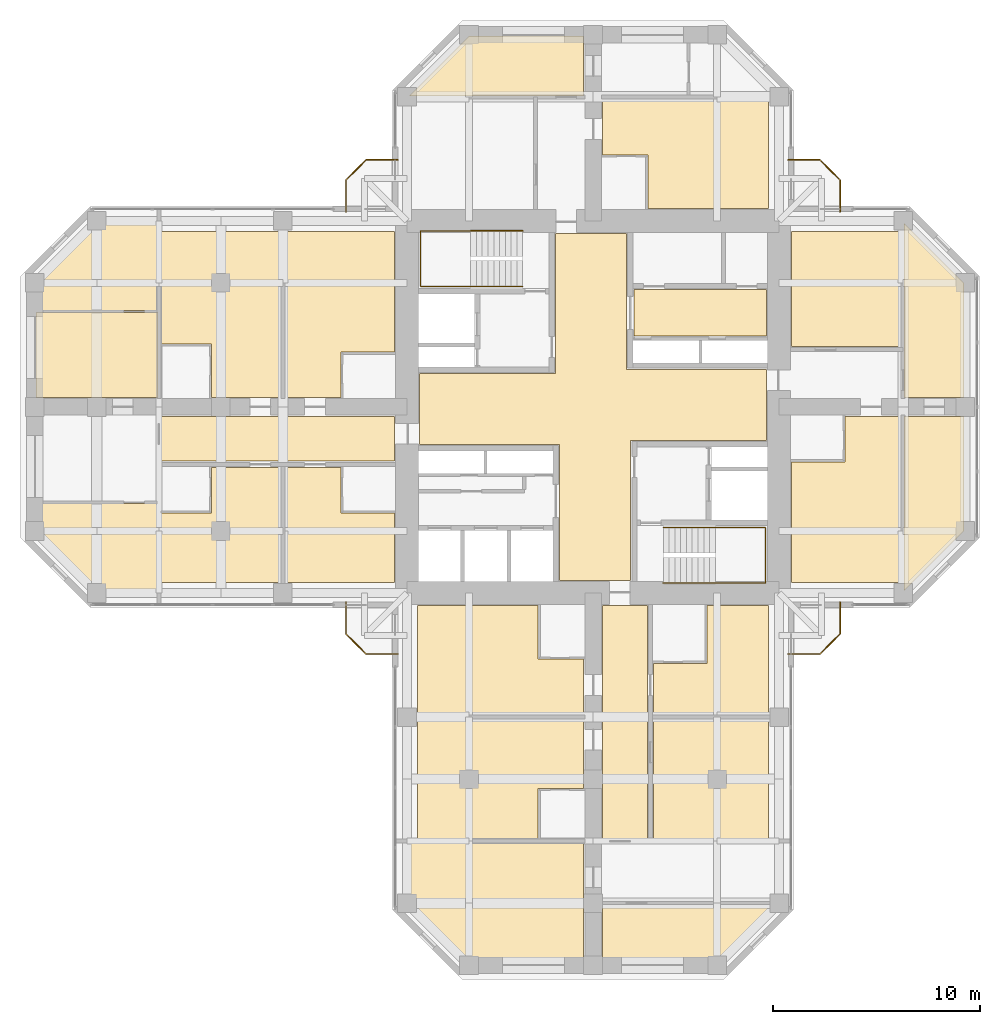
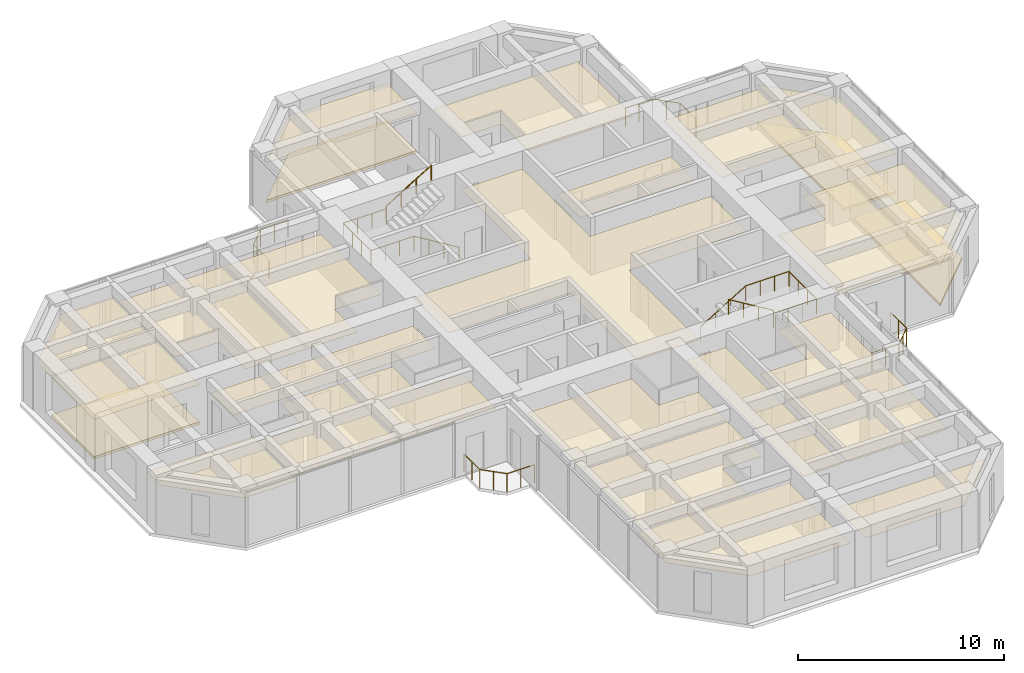
# One storey, part 13 of 13: 27 coverings, 8 railings.
"""IFC4 building model written with IfcOpenShell, lengths in metres."""

from ifc_helpers import new_model, si_unit, direction, frame, origin, origin_2d, place, context, subcontext, project, spatial, polyline, circle, outline, extrude, material, layer, layer_set, constituent, constituent_set, type_object, element, save


model = new_model("IFC4")

# Units and contexts
model_context = context("Model", 3, precision=1e-05, world=origin(), true_north=direction((0.0, 1.0)))
body_context = subcontext(model_context, "Body", "Model", "MODEL_VIEW")
ifc_project = project(units=[si_unit("LENGTHUNIT", "METRE"), si_unit("AREAUNIT", "SQUARE_METRE"), si_unit("VOLUMEUNIT", "CUBIC_METRE"), si_unit("PLANEANGLEUNIT", "RADIAN"), si_unit("MASSUNIT", "GRAM", prefix="KILO")], contexts=[model_context])

# Site, building, storey
site_placement = place(None, origin())
site = spatial("IfcSite", under=ifc_project, at=site_placement, CompositionType="ELEMENT")
building_placement = place(site_placement, origin())
building = spatial("IfcBuilding", under=site, at=building_placement, Name="Torre Cruceta", CompositionType="ELEMENT")
storey_placement = place(building_placement, frame((0.0, 0.0, 196.699951171875)))
storey = spatial("IfcBuildingStorey", under=building, at=storey_placement, Name="L49", CompositionType="ELEMENT", Elevation=196.699951171875)

# Railings
ifc_material_1 = material(Name="Stainless steel 1.4401", Category="steel")
ifc_constituent_1 = constituent(ifc_material_1, Name="Frame")
ifc_material_2 = material(Name="Laminated safety glass", Category="glass")
ifc_constituent_2 = constituent(ifc_material_2, Name="Infill")
ifc_constituent_set_1 = constituent_set(constituents=[ifc_constituent_1, ifc_constituent_2], Name="Stainless steel and laminated glass balustrade")
railing_type_1 = type_object("IfcRailingType", Name="BALCONY BALUSTRADE 1100", PredefinedType="BALUSTRADE", material=ifc_constituent_set_1)
railing_1_placement = place(storey_placement, frame((-9.449951171875, 11.949951171875, 0.0)))
element("IfcRailing", 1, at=railing_1_placement, inside=storey, type_object=railing_type_1, Name="BL1 balcony balustrade L49 N", PredefinedType="BALUSTRADE", context=body_context, shape_type="SweptSolid", body=[
    extrude(circle(Radius=0.02392578125, at=origin_2d()), frame((0.0, 0.0, 1.076171875), z_axis=(-1.0, 0.0, 0.0), x_axis=(0.0, -1.0, 0.0)), (0.0, 0.0, 1.0), 1.529296875),
    extrude(circle(Radius=0.02392578125, at=origin_2d()), frame((-1.529296875, 0.0, 1.076171875), z_axis=(-0.707106781187, -0.707106781187, 0.0), x_axis=(0.707106781187, -0.707106781187, 0.0)), (0.0, 0.0, 1.0), 1.372802734375),
    extrude(circle(Radius=0.02392578125, at=origin_2d()), frame((-2.5, -0.970703125, 1.076171875), z_axis=(0.0, -1.0, 0.0), x_axis=(1.0, 0.0, 0.0)), (0.0, 0.0, 1.0), 1.529296875),
    extrude(circle(Radius=0.02099609375, at=origin_2d()), origin(), (0.0, 0.0, 1.0), 1.052001953125),
    extrude(circle(Radius=0.02099609375, at=origin_2d()), frame((-0.7646484375, 0.0, 0.0)), (0.0, 0.0, 1.0), 1.052001953125),
    extrude(circle(Radius=0.02099609375, at=origin_2d()), frame((-1.529296875, 0.0, 0.0)), (0.0, 0.0, 1.0), 1.052001953125),
    extrude(circle(Radius=0.02099609375, at=origin_2d()), frame((-2.0146484375, -0.4853515625, 0.0)), (0.0, 0.0, 1.0), 1.052001953125),
    extrude(circle(Radius=0.02099609375, at=origin_2d()), frame((-2.5, -0.970703125, 0.0)), (0.0, 0.0, 1.0), 1.052001953125),
    extrude(circle(Radius=0.02099609375, at=origin_2d()), frame((-2.5, -1.7353515625, 0.0)), (0.0, 0.0, 1.0), 1.052001953125),
    extrude(circle(Radius=0.02099609375, at=origin_2d()), frame((-2.5, -2.5, 0.0)), (0.0, 0.0, 1.0), 1.052001953125),
])
railing_2_placement = place(storey_placement, frame((9.449951171875, 11.949951171875, 0.0)))
element("IfcRailing", 2, at=railing_2_placement, inside=storey, type_object=railing_type_1, Name="BL1 balcony balustrade L49 E", PredefinedType="BALUSTRADE", context=body_context, shape_type="SweptSolid", body=[
    extrude(circle(Radius=0.02392578125, at=origin_2d()), frame((0.0, 0.0, 1.076171875), z_axis=(1.0, 0.0, 0.0), x_axis=(0.0, 1.0, 0.0)), (0.0, 0.0, 1.0), 1.529296875),
    extrude(circle(Radius=0.02392578125, at=origin_2d()), frame((1.529296875, 0.0, 1.076171875), z_axis=(0.707106781187, -0.707106781187, 0.0), x_axis=(0.707106781187, 0.707106781187, 0.0)), (0.0, 0.0, 1.0), 1.372802734375),
    extrude(circle(Radius=0.02392578125, at=origin_2d()), frame((2.5, -0.970703125, 1.076171875), z_axis=(0.0, -1.0, 0.0), x_axis=(1.0, 0.0, 0.0)), (0.0, 0.0, 1.0), 1.529296875),
    extrude(circle(Radius=0.02099609375, at=origin_2d()), origin(), (0.0, 0.0, 1.0), 1.052001953125),
    extrude(circle(Radius=0.02099609375, at=origin_2d()), frame((0.7646484375, 0.0, 0.0)), (0.0, 0.0, 1.0), 1.052001953125),
    extrude(circle(Radius=0.02099609375, at=origin_2d()), frame((1.529296875, 0.0, 0.0)), (0.0, 0.0, 1.0), 1.052001953125),
    extrude(circle(Radius=0.02099609375, at=origin_2d()), frame((2.0146484375, -0.4853515625, 0.0)), (0.0, 0.0, 1.0), 1.052001953125),
    extrude(circle(Radius=0.02099609375, at=origin_2d()), frame((2.5, -0.970703125, 0.0)), (0.0, 0.0, 1.0), 1.052001953125),
    extrude(circle(Radius=0.02099609375, at=origin_2d()), frame((2.5, -1.7353515625, 0.0)), (0.0, 0.0, 1.0), 1.052001953125),
    extrude(circle(Radius=0.02099609375, at=origin_2d()), frame((2.5, -2.5, 0.0)), (0.0, 0.0, 1.0), 1.052001953125),
])
railing_3_placement = place(storey_placement, frame((9.449951171875, -11.949951171875, 0.0)))
element("IfcRailing", 3, at=railing_3_placement, inside=storey, type_object=railing_type_1, Name="BL1 balcony balustrade L49 S", PredefinedType="BALUSTRADE", context=body_context, shape_type="SweptSolid", body=[
    extrude(circle(Radius=0.02392578125, at=origin_2d()), frame((0.0, 0.0, 1.076171875), z_axis=(1.0, 0.0, 0.0), x_axis=(0.0, 1.0, 0.0)), (0.0, 0.0, 1.0), 1.529296875),
    extrude(circle(Radius=0.02392578125, at=origin_2d()), frame((1.529296875, 0.0, 1.076171875), z_axis=(0.707106781187, 0.707106781187, 0.0), x_axis=(-0.707106781187, 0.707106781187, 0.0)), (0.0, 0.0, 1.0), 1.372802734375),
    extrude(circle(Radius=0.02392578125, at=origin_2d()), frame((2.5, 0.970703125, 1.076171875), z_axis=(0.0, 1.0, 0.0), x_axis=(-1.0, 0.0, 0.0)), (0.0, 0.0, 1.0), 1.529296875),
    extrude(circle(Radius=0.02099609375, at=origin_2d()), origin(), (0.0, 0.0, 1.0), 1.052001953125),
    extrude(circle(Radius=0.02099609375, at=origin_2d()), frame((0.7646484375, 0.0, 0.0)), (0.0, 0.0, 1.0), 1.052001953125),
    extrude(circle(Radius=0.02099609375, at=origin_2d()), frame((1.529296875, 0.0, 0.0)), (0.0, 0.0, 1.0), 1.052001953125),
    extrude(circle(Radius=0.02099609375, at=origin_2d()), frame((2.0146484375, 0.4853515625, 0.0)), (0.0, 0.0, 1.0), 1.052001953125),
    extrude(circle(Radius=0.02099609375, at=origin_2d()), frame((2.5, 0.970703125, 0.0)), (0.0, 0.0, 1.0), 1.052001953125),
    extrude(circle(Radius=0.02099609375, at=origin_2d()), frame((2.5, 1.7353515625, 0.0)), (0.0, 0.0, 1.0), 1.052001953125),
    extrude(circle(Radius=0.02099609375, at=origin_2d()), frame((2.5, 2.5, 0.0)), (0.0, 0.0, 1.0), 1.052001953125),
])
railing_4_placement = place(storey_placement, frame((-9.449951171875, -11.949951171875, 0.0)))
element("IfcRailing", 4, at=railing_4_placement, inside=storey, type_object=railing_type_1, Name="BL1 balcony balustrade L49 W", PredefinedType="BALUSTRADE", context=body_context, shape_type="SweptSolid", body=[
    extrude(circle(Radius=0.02392578125, at=origin_2d()), frame((0.0, 0.0, 1.076171875), z_axis=(-1.0, 0.0, 0.0), x_axis=(0.0, -1.0, 0.0)), (0.0, 0.0, 1.0), 1.529296875),
    extrude(circle(Radius=0.02392578125, at=origin_2d()), frame((-1.529296875, 0.0, 1.076171875), z_axis=(-0.707106781187, 0.707106781187, 0.0), x_axis=(-0.707106781187, -0.707106781187, 0.0)), (0.0, 0.0, 1.0), 1.372802734375),
    extrude(circle(Radius=0.02392578125, at=origin_2d()), frame((-2.5, 0.970703125, 1.076171875), z_axis=(0.0, 1.0, 0.0), x_axis=(-1.0, 0.0, 0.0)), (0.0, 0.0, 1.0), 1.529296875),
    extrude(circle(Radius=0.02099609375, at=origin_2d()), origin(), (0.0, 0.0, 1.0), 1.052001953125),
    extrude(circle(Radius=0.02099609375, at=origin_2d()), frame((-0.7646484375, 0.0, 0.0)), (0.0, 0.0, 1.0), 1.052001953125),
    extrude(circle(Radius=0.02099609375, at=origin_2d()), frame((-1.529296875, 0.0, 0.0)), (0.0, 0.0, 1.0), 1.052001953125),
    extrude(circle(Radius=0.02099609375, at=origin_2d()), frame((-2.0146484375, 0.4853515625, 0.0)), (0.0, 0.0, 1.0), 1.052001953125),
    extrude(circle(Radius=0.02099609375, at=origin_2d()), frame((-2.5, 0.970703125, 0.0)), (0.0, 0.0, 1.0), 1.052001953125),
    extrude(circle(Radius=0.02099609375, at=origin_2d()), frame((-2.5, 1.7353515625, 0.0)), (0.0, 0.0, 1.0), 1.052001953125),
    extrude(circle(Radius=0.02099609375, at=origin_2d()), frame((-2.5, 2.5, 0.0)), (0.0, 0.0, 1.0), 1.052001953125),
])
ifc_material_3 = material(Name="Stainless steel 1.4401", Category="steel")
railing_type_2 = type_object("IfcRailingType", Name="HANDRAIL 900", PredefinedType="HANDRAIL", material=ifc_material_3)
railing_5_placement = place(storey_placement, frame((-3.39990234375, 5.8349609375, 0.170166015625)))
element("IfcRailing", 5, at=railing_5_placement, inside=storey, type_object=railing_type_2, Name="Handrail HR1 ST1 L49", PredefinedType="HANDRAIL", context=body_context, shape_type="SweptSolid", body=[
    extrude(circle(Radius=0.02392578125, at=origin_2d()), frame((0.0, 0.0, 0.8759765625), z_axis=(-0.854821627497, 0.0, 0.518921945155), x_axis=(0.0, -1.0, 0.0)), (0.0, 0.0, 1.0), 2.947998046875),
    extrude(circle(Radius=0.02392578125, at=origin_2d()), frame((-2.52001953125, 0.0, 2.40576171875), z_axis=(-1.0, 0.0, 0.0), x_axis=(0.0, -1.0, 0.0)), (0.0, 0.0, 1.0), 2.420166015625),
    extrude(circle(Radius=0.02392578125, at=origin_2d()), frame((-4.940185546875, 0.0, 2.40576171875), z_axis=(0.0, 1.0, 0.0), x_axis=(-1.0, 0.0, 0.0)), (0.0, 0.0, 1.0), 2.679931640625),
    extrude(circle(Radius=0.02392578125, at=origin_2d()), frame((-4.940185546875, 2.679931640625, 2.40576171875), z_axis=(1.0, 0.0, 0.0), x_axis=(0.0, 1.0, 0.0)), (0.0, 0.0, 1.0), 2.420166015625),
    extrude(circle(Radius=0.02099609375, at=origin_2d()), origin(), (0.0, 0.0, 1.0), 0.851806640625),
    extrude(circle(Radius=0.02099609375, at=origin_2d()), frame((-0.840087890625, 0.0, 0.510009765625)), (0.0, 0.0, 1.0), 0.851806640625),
    extrude(circle(Radius=0.02099609375, at=origin_2d()), frame((-1.679931640625, 0.0, 1.019775390625)), (0.0, 0.0, 1.0), 0.851806640625),
    extrude(circle(Radius=0.02099609375, at=origin_2d()), frame((-2.52001953125, 0.0, 1.52978515625)), (0.0, 0.0, 1.0), 0.851806640625),
    extrude(circle(Radius=0.02099609375, at=origin_2d()), frame((-3.32666015625, 0.0, 1.52978515625)), (0.0, 0.0, 1.0), 0.851806640625),
    extrude(circle(Radius=0.02099609375, at=origin_2d()), frame((-4.133544921875, 0.0, 1.52978515625)), (0.0, 0.0, 1.0), 0.851806640625),
    extrude(circle(Radius=0.02099609375, at=origin_2d()), frame((-4.940185546875, 0.0, 1.52978515625)), (0.0, 0.0, 1.0), 0.851806640625),
    extrude(circle(Radius=0.02099609375, at=origin_2d()), frame((-4.940185546875, 0.893310546875, 1.52978515625)), (0.0, 0.0, 1.0), 0.851806640625),
    extrude(circle(Radius=0.02099609375, at=origin_2d()), frame((-4.940185546875, 1.78662109375, 1.52978515625)), (0.0, 0.0, 1.0), 0.851806640625),
    extrude(circle(Radius=0.02099609375, at=origin_2d()), frame((-4.940185546875, 2.679931640625, 1.52978515625)), (0.0, 0.0, 1.0), 0.851806640625),
    extrude(circle(Radius=0.02099609375, at=origin_2d()), frame((-4.133544921875, 2.679931640625, 1.52978515625)), (0.0, 0.0, 1.0), 0.851806640625),
    extrude(circle(Radius=0.02099609375, at=origin_2d()), frame((-3.32666015625, 2.679931640625, 1.52978515625)), (0.0, 0.0, 1.0), 0.851806640625),
    extrude(circle(Radius=0.02099609375, at=origin_2d()), frame((-2.52001953125, 2.679931640625, 1.52978515625)), (0.0, 0.0, 1.0), 0.851806640625),
])
railing_6_placement = place(storey_placement, frame((-5.919921875, 8.514892578125, 1.8701171875)))
element("IfcRailing", 6, at=railing_6_placement, inside=storey, type_object=railing_type_2, Name="Handrail HR1 ST1 L49", PredefinedType="HANDRAIL", context=body_context, shape_type="SweptSolid", body=[
    extrude(circle(Radius=0.02392578125, at=origin_2d()), frame((0.0, 0.0, 0.8759765625), z_axis=(0.85478489116, 0.0, 0.518982456201), x_axis=(0.0, 1.0, 0.0)), (0.0, 0.0, 1.0), 2.9482421875),
    extrude(circle(Radius=0.02099609375, at=origin_2d()), origin(), (0.0, 0.0, 1.0), 0.851806640625),
    extrude(circle(Radius=0.02099609375, at=origin_2d()), frame((0.840087890625, 0.0, 0.510009765625)), (0.0, 0.0, 1.0), 0.851806640625),
    extrude(circle(Radius=0.02099609375, at=origin_2d()), frame((1.679931640625, 0.0, 1.02001953125)), (0.0, 0.0, 1.0), 0.851806640625),
    extrude(circle(Radius=0.02099609375, at=origin_2d()), frame((2.52001953125, 0.0, 1.530029296875)), (0.0, 0.0, 1.0), 0.851806640625),
])
railing_7_placement = place(storey_placement, frame((3.39990234375, -5.8349609375, 0.170166015625)))
element("IfcRailing", 7, at=railing_7_placement, inside=storey, type_object=railing_type_2, Name="Handrail HR1 ST2 L49", PredefinedType="HANDRAIL", context=body_context, shape_type="SweptSolid", body=[
    extrude(circle(Radius=0.02392578125, at=origin_2d()), frame((0.0, 0.0, 0.8759765625), z_axis=(0.854821627497, 0.0, 0.518921945155), x_axis=(0.0, 1.0, 0.0)), (0.0, 0.0, 1.0), 2.947998046875),
    extrude(circle(Radius=0.02392578125, at=origin_2d()), frame((2.52001953125, 0.0, 2.40576171875), z_axis=(1.0, 0.0, 0.0), x_axis=(0.0, 1.0, 0.0)), (0.0, 0.0, 1.0), 2.420166015625),
    extrude(circle(Radius=0.02392578125, at=origin_2d()), frame((4.940185546875, 0.0, 2.40576171875), z_axis=(0.0, -1.0, 0.0), x_axis=(1.0, 0.0, 0.0)), (0.0, 0.0, 1.0), 2.679931640625),
    extrude(circle(Radius=0.02392578125, at=origin_2d()), frame((4.940185546875, -2.679931640625, 2.40576171875), z_axis=(-1.0, 0.0, 0.0), x_axis=(0.0, -1.0, 0.0)), (0.0, 0.0, 1.0), 2.420166015625),
    extrude(circle(Radius=0.02099609375, at=origin_2d()), origin(), (0.0, 0.0, 1.0), 0.851806640625),
    extrude(circle(Radius=0.02099609375, at=origin_2d()), frame((0.840087890625, 0.0, 0.510009765625)), (0.0, 0.0, 1.0), 0.851806640625),
    extrude(circle(Radius=0.02099609375, at=origin_2d()), frame((1.679931640625, 0.0, 1.019775390625)), (0.0, 0.0, 1.0), 0.851806640625),
    extrude(circle(Radius=0.02099609375, at=origin_2d()), frame((2.52001953125, 0.0, 1.52978515625)), (0.0, 0.0, 1.0), 0.851806640625),
    extrude(circle(Radius=0.02099609375, at=origin_2d()), frame((3.32666015625, 0.0, 1.52978515625)), (0.0, 0.0, 1.0), 0.851806640625),
    extrude(circle(Radius=0.02099609375, at=origin_2d()), frame((4.133544921875, 0.0, 1.52978515625)), (0.0, 0.0, 1.0), 0.851806640625),
    extrude(circle(Radius=0.02099609375, at=origin_2d()), frame((4.940185546875, 0.0, 1.52978515625)), (0.0, 0.0, 1.0), 0.851806640625),
    extrude(circle(Radius=0.02099609375, at=origin_2d()), frame((4.940185546875, -0.893310546875, 1.52978515625)), (0.0, 0.0, 1.0), 0.851806640625),
    extrude(circle(Radius=0.02099609375, at=origin_2d()), frame((4.940185546875, -1.78662109375, 1.52978515625)), (0.0, 0.0, 1.0), 0.851806640625),
    extrude(circle(Radius=0.02099609375, at=origin_2d()), frame((4.940185546875, -2.679931640625, 1.52978515625)), (0.0, 0.0, 1.0), 0.851806640625),
    extrude(circle(Radius=0.02099609375, at=origin_2d()), frame((4.133544921875, -2.679931640625, 1.52978515625)), (0.0, 0.0, 1.0), 0.851806640625),
    extrude(circle(Radius=0.02099609375, at=origin_2d()), frame((3.32666015625, -2.679931640625, 1.52978515625)), (0.0, 0.0, 1.0), 0.851806640625),
    extrude(circle(Radius=0.02099609375, at=origin_2d()), frame((2.52001953125, -2.679931640625, 1.52978515625)), (0.0, 0.0, 1.0), 0.851806640625),
])
railing_8_placement = place(storey_placement, frame((5.919921875, -8.514892578125, 1.8701171875)))
element("IfcRailing", 8, at=railing_8_placement, inside=storey, type_object=railing_type_2, Name="Handrail HR1 ST2 L49", PredefinedType="HANDRAIL", context=body_context, shape_type="SweptSolid", body=[
    extrude(circle(Radius=0.02392578125, at=origin_2d()), frame((0.0, 0.0, 0.8759765625), z_axis=(-0.85478489116, 0.0, 0.518982456201), x_axis=(0.0, -1.0, 0.0)), (0.0, 0.0, 1.0), 2.9482421875),
    extrude(circle(Radius=0.02099609375, at=origin_2d()), origin(), (0.0, 0.0, 1.0), 0.851806640625),
    extrude(circle(Radius=0.02099609375, at=origin_2d()), frame((-0.840087890625, 0.0, 0.510009765625)), (0.0, 0.0, 1.0), 0.851806640625),
    extrude(circle(Radius=0.02099609375, at=origin_2d()), frame((-1.679931640625, 0.0, 1.02001953125)), (0.0, 0.0, 1.0), 0.851806640625),
    extrude(circle(Radius=0.02099609375, at=origin_2d()), frame((-2.52001953125, 0.0, 1.530029296875)), (0.0, 0.0, 1.0), 0.851806640625),
])

# Coverings
ifc_material_4 = material(Name="Steel DX51D", Category="steel")
ifc_constituent_3 = constituent(ifc_material_4, Name="Panel casing")
ifc_material_5 = material(Name="Calcium sulphate", Category="gypsum")
ifc_constituent_4 = constituent(ifc_material_5, Name="Panel core")
ifc_constituent_set_2 = constituent_set(constituents=[ifc_constituent_3, ifc_constituent_4], Name="Raised access floor panel")
covering_type_1 = type_object("IfcCoveringType", Name="RAISED ACCESS FLOOR 150", PredefinedType="FLOORING", material=ifc_constituent_set_2)
covering_1_placement = place(storey_placement, origin())
element("IfcCovering", 9, at=covering_1_placement, inside=storey, type_object=covering_type_1, Name="Raised floor L49-026", PredefinedType="FLOORING", context=body_context, shape_type="SweptSolid", body=[
    extrude(outline(polyline([(-5.979248046875, 17.949951171875), (-0.449951171875, 17.949951171875), (-0.449951171875, 15.050048828125), (-8.87939453125, 15.050048828125), (-5.979248046875, 17.949951171875)])), origin(), (0.0, 0.0, 1.0), 0.150146484375),
])
covering_2_placement = place(storey_placement, origin())
element("IfcCovering", 10, at=covering_2_placement, inside=storey, type_object=covering_type_1, Name="Raised floor L49-033", PredefinedType="FLOORING", context=body_context, shape_type="SweptSolid", body=[
    extrude(outline(polyline([(17.949951171875, 5.979248046875), (17.949951171875, 0.449951171875), (15.050048828125, 0.449951171875), (15.050048828125, 8.87939453125), (17.949951171875, 5.979248046875)])), origin(), (0.0, 0.0, 1.0), 0.150146484375),
])
covering_3_placement = place(storey_placement, origin())
element("IfcCovering", 11, at=covering_3_placement, inside=storey, type_object=covering_type_1, Name="Raised floor L49-034", PredefinedType="FLOORING", context=body_context, shape_type="SweptSolid", body=[
    extrude(outline(polyline([(15.050048828125, -8.87939453125), (15.050048828125, -0.449951171875), (17.949951171875, -0.449951171875), (17.949951171875, -5.979248046875), (15.050048828125, -8.87939453125)])), origin(), (0.0, 0.0, 1.0), 0.150146484375),
])
covering_4_placement = place(storey_placement, origin())
element("IfcCovering", 12, at=covering_4_placement, inside=storey, type_object=covering_type_1, Name="Raised floor L49-057", PredefinedType="FLOORING", context=body_context, shape_type="SweptSolid", body=[
    extrude(outline(polyline([(-26.949951171875, 4.574951171875), (-21.050048828125, 4.574951171875), (-21.050048828125, 0.449951171875), (-26.949951171875, 0.449951171875), (-26.949951171875, 4.574951171875)])), origin(), (0.0, 0.0, 1.0), 0.150146484375),
])
ifc_material_6 = material(Name="Mineral fibre ceiling tile", Category="gypsum")
ifc_layer = layer(ifc_material_6, 0.02001953125)
ifc_layer_set = layer_set([ifc_layer], Name="Mineral fibre ceiling tile")
covering_type_2 = type_object("IfcCoveringType", Name="SUSPENDED CEILING 20", PredefinedType="CEILING", material=ifc_layer_set)
covering_5_placement = place(storey_placement, frame((0.0, 0.0, 2.35009765625)))
element("IfcCovering", 13, at=covering_5_placement, inside=storey, type_object=covering_type_2, Name="Ceiling L49-003", PredefinedType="CEILING", context=body_context, shape_type="SweptSolid", body=[
    extrude(outline(polyline([(-1.625, -8.39990234375), (-1.625, -1.824951171875), (-8.39990234375, -1.824951171875), (-8.39990234375, 1.625), (-1.824951171875, 1.625), (-1.824951171875, 8.39990234375), (1.625, 8.39990234375), (1.625, 1.824951171875), (8.39990234375, 1.824951171875), (8.39990234375, -1.625), (1.824951171875, -1.625), (1.824951171875, -8.39990234375), (-1.625, -8.39990234375)])), origin(), (0.0, 0.0, 1.0), 0.02001953125),
])
covering_6_placement = place(storey_placement, frame((0.0, 0.0, 2.35009765625)))
element("IfcCovering", 14, at=covering_6_placement, inside=storey, type_object=covering_type_2, Name="Ceiling L49-004", PredefinedType="CEILING", context=body_context, shape_type="SweptSolid", body=[
    extrude(outline(polyline([(1.97509765625, 3.425048828125), (1.97509765625, 5.675048828125), (8.39990234375, 5.675048828125), (8.39990234375, 3.425048828125), (1.97509765625, 3.425048828125)])), origin(), (0.0, 0.0, 1.0), 0.02001953125),
])
covering_7_placement = place(storey_placement, frame((0.0, 0.0, 2.35009765625)))
element("IfcCovering", 15, at=covering_7_placement, inside=storey, type_object=covering_type_2, Name="Ceiling L49-024", PredefinedType="CEILING", context=body_context, shape_type="SweptSolid", body=[
    extrude(outline(polyline([(0.449951171875, 14.949951171875), (8.5, 14.949951171875), (8.5, 9.60009765625), (2.64990234375, 9.60009765625), (2.64990234375, 12.199951171875), (0.449951171875, 12.199951171875), (0.449951171875, 14.949951171875)])), origin(), (0.0, 0.0, 1.0), 0.02001953125),
])
covering_8_placement = place(storey_placement, frame((0.0, 0.0, 2.35009765625)))
element("IfcCovering", 16, at=covering_8_placement, inside=storey, type_object=covering_type_2, Name="Ceiling L49-026", PredefinedType="CEILING", context=body_context, shape_type="SweptSolid", body=[
    extrude(outline(polyline([(-5.979248046875, 17.949951171875), (-0.449951171875, 17.949951171875), (-0.449951171875, 15.050048828125), (-8.87939453125, 15.050048828125), (-5.979248046875, 17.949951171875)])), origin(), (0.0, 0.0, 1.0), 0.02001953125),
])
covering_9_placement = place(storey_placement, frame((0.0, 0.0, 2.35009765625)))
element("IfcCovering", 17, at=covering_9_placement, inside=storey, type_object=covering_type_2, Name="Ceiling L49-030", PredefinedType="CEILING", context=body_context, shape_type="SweptSolid", body=[
    extrude(outline(polyline([(9.60009765625, 2.925048828125), (9.60009765625, 8.5), (14.949951171875, 8.5), (14.949951171875, 2.925048828125), (9.60009765625, 2.925048828125)])), origin(), (0.0, 0.0, 1.0), 0.02001953125),
])
covering_10_placement = place(storey_placement, frame((0.0, 0.0, 2.35009765625)))
element("IfcCovering", 18, at=covering_10_placement, inside=storey, type_object=covering_type_2, Name="Ceiling L49-031", PredefinedType="CEILING", context=body_context, shape_type="SweptSolid", body=[
    extrude(outline(polyline([(14.949951171875, -0.449951171875), (14.949951171875, -8.5), (9.60009765625, -8.5), (9.60009765625, -2.64990234375), (12.199951171875, -2.64990234375), (12.199951171875, -0.449951171875), (14.949951171875, -0.449951171875)])), origin(), (0.0, 0.0, 1.0), 0.02001953125),
])
covering_11_placement = place(storey_placement, frame((0.0, 0.0, 2.35009765625)))
element("IfcCovering", 19, at=covering_11_placement, inside=storey, type_object=covering_type_2, Name="Ceiling L49-033", PredefinedType="CEILING", context=body_context, shape_type="SweptSolid", body=[
    extrude(outline(polyline([(17.949951171875, 5.979248046875), (17.949951171875, 0.449951171875), (15.050048828125, 0.449951171875), (15.050048828125, 8.87939453125), (17.949951171875, 5.979248046875)])), origin(), (0.0, 0.0, 1.0), 0.02001953125),
])
covering_12_placement = place(storey_placement, frame((0.0, 0.0, 2.35009765625)))
element("IfcCovering", 20, at=covering_12_placement, inside=storey, type_object=covering_type_2, Name="Ceiling L49-034", PredefinedType="CEILING", context=body_context, shape_type="SweptSolid", body=[
    extrude(outline(polyline([(15.050048828125, -8.87939453125), (15.050048828125, -0.449951171875), (17.949951171875, -0.449951171875), (17.949951171875, -5.979248046875), (15.050048828125, -8.87939453125)])), origin(), (0.0, 0.0, 1.0), 0.02001953125),
])
covering_13_placement = place(storey_placement, frame((0.0, 0.0, 2.35009765625)))
element("IfcCovering", 21, at=covering_13_placement, inside=storey, type_object=covering_type_2, Name="Ceiling L49-035", PredefinedType="CEILING", context=body_context, shape_type="SweptSolid", body=[
    extrude(outline(polyline([(0.449951171875, -9.60009765625), (2.625, -9.60009765625), (2.625, -20.949951171875), (0.449951171875, -20.949951171875), (0.449951171875, -9.60009765625)])), origin(), (0.0, 0.0, 1.0), 0.02001953125),
])
covering_14_placement = place(storey_placement, frame((0.0, 0.0, 2.35009765625)))
element("IfcCovering", 22, at=covering_14_placement, inside=storey, type_object=covering_type_2, Name="Ceiling L49-036", PredefinedType="CEILING", context=body_context, shape_type="SweptSolid", body=[
    extrude(outline(polyline([(8.5, -9.60009765625), (8.5, -14.949951171875), (2.925048828125, -14.949951171875), (2.925048828125, -12.39990234375), (5.52490234375, -12.39990234375), (5.52490234375, -9.60009765625), (8.5, -9.60009765625)])), origin(), (0.0, 0.0, 1.0), 0.02001953125),
])
covering_15_placement = place(storey_placement, frame((0.0, 0.0, 2.35009765625)))
element("IfcCovering", 23, at=covering_15_placement, inside=storey, type_object=covering_type_2, Name="Ceiling L49-038", PredefinedType="CEILING", context=body_context, shape_type="SweptSolid", body=[
    extrude(outline(polyline([(-0.449951171875, -14.949951171875), (-8.5, -14.949951171875), (-8.5, -9.60009765625), (-2.64990234375, -9.60009765625), (-2.64990234375, -12.199951171875), (-0.449951171875, -12.199951171875), (-0.449951171875, -14.949951171875)])), origin(), (0.0, 0.0, 1.0), 0.02001953125),
])
covering_16_placement = place(storey_placement, frame((0.0, 0.0, 2.35009765625)))
element("IfcCovering", 24, at=covering_16_placement, inside=storey, type_object=covering_type_2, Name="Ceiling L49-040", PredefinedType="CEILING", context=body_context, shape_type="SweptSolid", body=[
    extrude(outline(polyline([(2.925048828125, -15.050048828125), (8.5, -15.050048828125), (8.5, -20.949951171875), (2.925048828125, -20.949951171875), (2.925048828125, -15.050048828125)])), origin(), (0.0, 0.0, 1.0), 0.02001953125),
])
covering_17_placement = place(storey_placement, frame((0.0, 0.0, 2.35009765625)))
element("IfcCovering", 25, at=covering_17_placement, inside=storey, type_object=covering_type_2, Name="Ceiling L49-041", PredefinedType="CEILING", context=body_context, shape_type="SweptSolid", body=[
    extrude(outline(polyline([(-8.5, -20.949951171875), (-8.5, -15.050048828125), (-0.449951171875, -15.050048828125), (-0.449951171875, -18.449951171875), (-2.64990234375, -18.449951171875), (-2.64990234375, -20.949951171875), (-8.5, -20.949951171875)])), origin(), (0.0, 0.0, 1.0), 0.02001953125),
])
covering_18_placement = place(storey_placement, frame((0.0, 0.0, 2.35009765625)))
element("IfcCovering", 26, at=covering_18_placement, inside=storey, type_object=covering_type_2, Name="Ceiling L49-044", PredefinedType="CEILING", context=body_context, shape_type="SweptSolid", body=[
    extrude(outline(polyline([(0.449951171875, -26.949951171875), (0.449951171875, -24.050048828125), (8.87939453125, -24.050048828125), (5.979248046875, -26.949951171875), (0.449951171875, -26.949951171875)])), origin(), (0.0, 0.0, 1.0), 0.02001953125),
])
covering_19_placement = place(storey_placement, frame((0.0, 0.0, 2.35009765625)))
element("IfcCovering", 27, at=covering_19_placement, inside=storey, type_object=covering_type_2, Name="Ceiling L49-045", PredefinedType="CEILING", context=body_context, shape_type="SweptSolid", body=[
    extrude(outline(polyline([(-8.949951171875, -23.979248046875), (-8.949951171875, -21.050048828125), (-0.449951171875, -21.050048828125), (-0.449951171875, -26.949951171875), (-5.979248046875, -26.949951171875), (-8.949951171875, -23.979248046875)])), origin(), (0.0, 0.0, 1.0), 0.02001953125),
])
covering_20_placement = place(storey_placement, frame((0.0, 0.0, 2.35009765625)))
element("IfcCovering", 28, at=covering_20_placement, inside=storey, type_object=covering_type_2, Name="Ceiling L49-046", PredefinedType="CEILING", context=body_context, shape_type="SweptSolid", body=[
    extrude(outline(polyline([(-9.60009765625, -0.449951171875), (-9.60009765625, -2.625), (-20.949951171875, -2.625), (-20.949951171875, -0.449951171875), (-9.60009765625, -0.449951171875)])), origin(), (0.0, 0.0, 1.0), 0.02001953125),
])
covering_21_placement = place(storey_placement, frame((0.0, 0.0, 2.35009765625)))
element("IfcCovering", 29, at=covering_21_placement, inside=storey, type_object=covering_type_2, Name="Ceiling L49-047", PredefinedType="CEILING", context=body_context, shape_type="SweptSolid", body=[
    extrude(outline(polyline([(-9.60009765625, -8.5), (-14.949951171875, -8.5), (-14.949951171875, -2.925048828125), (-12.199951171875, -2.925048828125), (-12.199951171875, -5.125), (-9.60009765625, -5.125), (-9.60009765625, -8.5)])), origin(), (0.0, 0.0, 1.0), 0.02001953125),
])
covering_22_placement = place(storey_placement, frame((0.0, 0.0, 2.35009765625)))
element("IfcCovering", 30, at=covering_22_placement, inside=storey, type_object=covering_type_2, Name="Ceiling L49-049", PredefinedType="CEILING", context=body_context, shape_type="SweptSolid", body=[
    extrude(outline(polyline([(-14.949951171875, 0.449951171875), (-14.949951171875, 8.5), (-9.60009765625, 8.5), (-9.60009765625, 2.64990234375), (-12.199951171875, 2.64990234375), (-12.199951171875, 0.449951171875), (-14.949951171875, 0.449951171875)])), origin(), (0.0, 0.0, 1.0), 0.02001953125),
])
covering_23_placement = place(storey_placement, frame((0.0, 0.0, 2.35009765625)))
element("IfcCovering", 31, at=covering_23_placement, inside=storey, type_object=covering_type_2, Name="Ceiling L49-051", PredefinedType="CEILING", context=body_context, shape_type="SweptSolid", body=[
    extrude(outline(polyline([(-15.050048828125, -2.925048828125), (-15.050048828125, -8.5), (-20.949951171875, -8.5), (-20.949951171875, -5.125), (-18.449951171875, -5.125), (-18.449951171875, -2.925048828125), (-15.050048828125, -2.925048828125)])), origin(), (0.0, 0.0, 1.0), 0.02001953125),
])
covering_24_placement = place(storey_placement, frame((0.0, 0.0, 2.35009765625)))
element("IfcCovering", 32, at=covering_24_placement, inside=storey, type_object=covering_type_2, Name="Ceiling L49-053", PredefinedType="CEILING", context=body_context, shape_type="SweptSolid", body=[
    extrude(outline(polyline([(-20.949951171875, 8.5), (-15.050048828125, 8.5), (-15.050048828125, 0.449951171875), (-18.449951171875, 0.449951171875), (-18.449951171875, 3.050048828125), (-20.949951171875, 3.050048828125), (-20.949951171875, 8.5)])), origin(), (0.0, 0.0, 1.0), 0.02001953125),
])
covering_25_placement = place(storey_placement, frame((0.0, 0.0, 2.35009765625)))
element("IfcCovering", 33, at=covering_25_placement, inside=storey, type_object=covering_type_2, Name="Ceiling L49-056", PredefinedType="CEILING", context=body_context, shape_type="SweptSolid", body=[
    extrude(outline(polyline([(-23.979248046875, -8.949951171875), (-26.949951171875, -5.979248046875), (-26.949951171875, -4.675048828125), (-21.050048828125, -4.675048828125), (-21.050048828125, -8.949951171875), (-23.979248046875, -8.949951171875)])), origin(), (0.0, 0.0, 1.0), 0.02001953125),
])
covering_26_placement = place(storey_placement, frame((0.0, 0.0, 2.35009765625)))
element("IfcCovering", 34, at=covering_26_placement, inside=storey, type_object=covering_type_2, Name="Ceiling L49-057", PredefinedType="CEILING", context=body_context, shape_type="SweptSolid", body=[
    extrude(outline(polyline([(-26.949951171875, 4.574951171875), (-21.050048828125, 4.574951171875), (-21.050048828125, 0.449951171875), (-26.949951171875, 0.449951171875), (-26.949951171875, 4.574951171875)])), origin(), (0.0, 0.0, 1.0), 0.02001953125),
])
covering_27_placement = place(storey_placement, frame((0.0, 0.0, 2.35009765625)))
element("IfcCovering", 35, at=covering_27_placement, inside=storey, type_object=covering_type_2, Name="Ceiling L49-058", PredefinedType="CEILING", context=body_context, shape_type="SweptSolid", body=[
    extrude(outline(polyline([(-23.979248046875, 8.949951171875), (-21.050048828125, 8.949951171875), (-21.050048828125, 4.675048828125), (-26.949951171875, 4.675048828125), (-26.949951171875, 5.979248046875), (-23.979248046875, 8.949951171875)])), origin(), (0.0, 0.0, 1.0), 0.02001953125),
])

save(model, "model.ifc")
